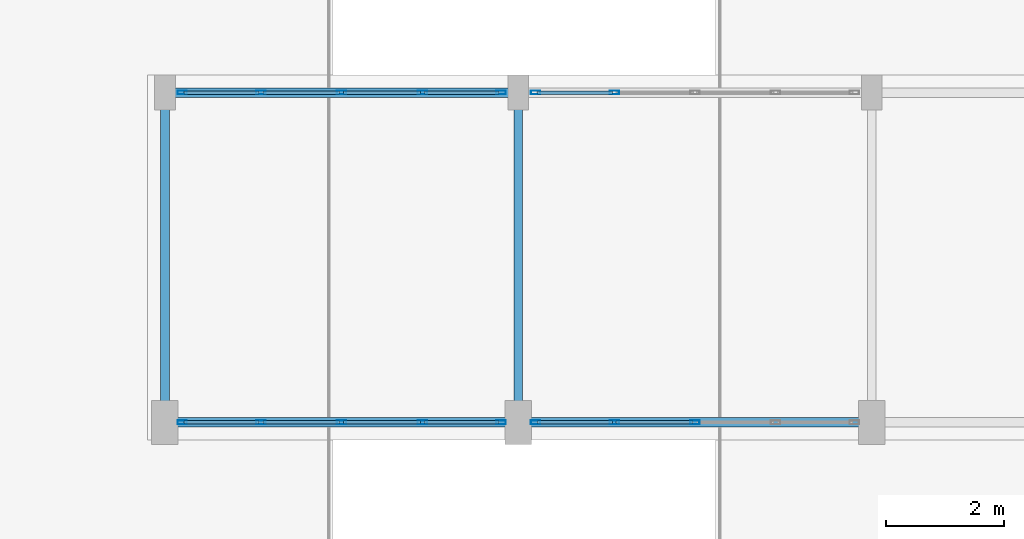
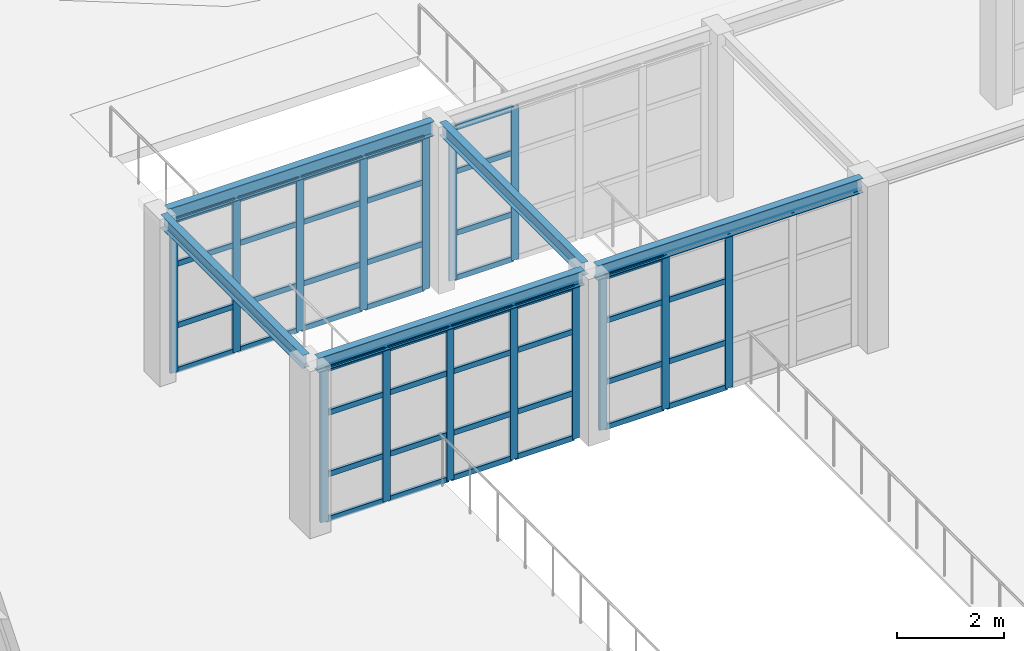
# One storey, part 11 of 57: 58 members, 5 beams, 4 elements without a shape of their own.
"""IFC4 building model written with IfcOpenShell, lengths in metres."""

from ifc_helpers import new_model, si_unit, direction, frame, origin, origin_2d, place, context, subcontext, project, spatial, hollow_rectangle, i_section, extrude, material, layer, layer_set, material_profile, profile_set, type_object, element, aggregate, save


model = new_model("IFC4")

# Units and contexts
model_context = context("Model", 3, precision=1e-05, world=origin(), true_north=direction((0.0, 1.0)))
body_context = subcontext(model_context, "Body", "Model", "MODEL_VIEW")
ifc_project = project(units=[si_unit("LENGTHUNIT", "METRE"), si_unit("AREAUNIT", "SQUARE_METRE"), si_unit("VOLUMEUNIT", "CUBIC_METRE"), si_unit("PLANEANGLEUNIT", "RADIAN"), si_unit("MASSUNIT", "GRAM", prefix="KILO")], contexts=[model_context])

# Site, building, storey
site_placement = place(None, origin())
site = spatial("IfcSite", under=ifc_project, at=site_placement, CompositionType="ELEMENT")
building_placement = place(site_placement, origin())
building = spatial("IfcBuilding", under=site, at=building_placement, Name="Kharisveld Research Institute", CompositionType="ELEMENT")
storey_placement = place(building_placement, origin())
storey = spatial("IfcBuildingStorey", under=building, at=storey_placement, Name="L00", CompositionType="ELEMENT", Elevation=0.0)

# Beams
ifc_material_1 = material(Name="Steel S355JR", Category="steel")
ifc_material_profile_1 = material_profile(ifc_material_1, i_section(OverallWidth=0.14990234375, OverallDepth=0.300048828125, WebThickness=0.007080078125, FlangeThickness=0.0107421875, at=origin_2d()))
ifc_profile_set_1 = profile_set([ifc_material_profile_1], Name="Steel S355JR")
beam_type_1 = type_object("IfcBeamType", Name="BM_ST_IPE300", PredefinedType="BEAM", material=ifc_profile_set_1)
for number, where, z_axis, x_axis, name in (
    (1, (48.5, 26.14990234375, 3.64990234375), (0.0, 1.0, 0.0), (-1.0, 0.0, 0.0), "BM:ARC:L00:TR_1"),
    (2, (54.5, 26.14990234375, 3.64990234375), (0.0, 1.0, 0.0), (-1.0, 0.0, 0.0), "BM:ARC:L00:TR_2"),
):
    element("IfcBeam", number, at=place(storey_placement, frame(where, z_axis=z_axis, x_axis=x_axis)), inside=storey, type_object=beam_type_1, Name=name, PredefinedType="BEAM", context=body_context, shape_type="SweptSolid", body=[
        extrude(i_section(OverallWidth=0.14990234375, OverallDepth=0.300048828125, WebThickness=0.007080078125, FlangeThickness=0.0107421875, at=origin_2d()), origin(), (0.0, 0.0, 1.0), 5.300048828125),
    ])
ifc_material_2 = material(Name="Steel S355JR", Category="steel")
ifc_material_profile_2 = material_profile(ifc_material_2, i_section(OverallWidth=0.159912109375, OverallDepth=0.330078125, WebThickness=0.007568359375, FlangeThickness=0.011474609375, at=origin_2d()))
ifc_profile_set_2 = profile_set([ifc_material_profile_2], Name="Steel S355JR")
beam_type_2 = type_object("IfcBeamType", Name="BM_ST_IPE330", PredefinedType="BEAM", material=ifc_profile_set_2)
for number, where, z_axis, x_axis, name in (
    (3, (48.639892578125, 26.0, 3.635009765625), (1.0, 0.0, 0.0), (0.0, 1.0, 0.0), "BM:ARC:L00:LN_1_1"),
    (4, (54.639892578125, 26.0, 3.635009765625), (1.0, 0.0, 0.0), (0.0, 1.0, 0.0), "BM:ARC:L00:LN_1_2"),
    (5, (48.639892578125, 31.60009765625, 3.635009765625), (1.0, 0.0, 0.0), (0.0, 1.0, 0.0), "BM:ARC:L00:LN_2_1"),
):
    element("IfcBeam", number, at=place(storey_placement, frame(where, z_axis=z_axis, x_axis=x_axis)), inside=storey, type_object=beam_type_2, Name=name, PredefinedType="BEAM", context=body_context, shape_type="SweptSolid", body=[
        extrude(i_section(OverallWidth=0.159912109375, OverallDepth=0.330078125, WebThickness=0.007568359375, FlangeThickness=0.011474609375, at=origin_2d()), origin(), (0.0, 0.0, 1.0), 5.72021484375),
    ])

# Curtain wall, members
ifc_material_3 = material(Name="Thermally Broken Aluminium Curtain Wall", Category="aluminium")
ifc_layer = layer(ifc_material_3, 0.159912109375)
ifc_layer_set = layer_set([ifc_layer], Name="CW_SYS_02")
curtain_wall_type = type_object("IfcCurtainWallType", Name="CW_SYS_02", PredefinedType="NOTDEFINED", material=ifc_layer_set)
curtain_wall_1_placement = place(storey_placement, origin())
curtain_wall_1 = element("IfcCurtainWall", 6, at=curtain_wall_1_placement, inside=storey, type_object=curtain_wall_type, Name="CW:ARC:L00:S1", PredefinedType="NOTDEFINED")
ifc_material_4 = material(Name="Anodised Aluminium AW-6063-T6", Category="aluminium")
ifc_material_profile_3 = material_profile(ifc_material_4, hollow_rectangle(XDim=0.06494140625, YDim=0.159912109375, WallThickness=0.00390625, at=origin_2d()))
ifc_profile_set_3 = profile_set([ifc_material_profile_3], Name="Anodised Aluminium AW-6063-T6")
member_type_1 = type_object("IfcMemberType", Name="CW_MUL_160", PredefinedType="MULLION", material=ifc_profile_set_3)
member_1_placement = place(storey_placement, frame((54.20751953125, 26.0, 0.0), z_axis=(0.0, 0.0, 1.0), x_axis=(0.0, -1.0, 0.0)))
member_1 = element("IfcMember", 7, at=member_1_placement, type_object=member_type_1, Name="CW-02 mullion 1", PredefinedType="MULLION", context=body_context, shape_type="SweptSolid", body=[
    extrude(hollow_rectangle(XDim=0.06494140625, YDim=0.159912109375, WallThickness=0.00390625, at=origin_2d()), origin(), (0.0, 0.0, 1.0), 3.47998046875),
])
member_2_placement = place(storey_placement, frame((52.8701171875, 26.0, 0.0), z_axis=(0.0, 0.0, 1.0), x_axis=(0.0, -1.0, 0.0)))
member_2 = element("IfcMember", 8, at=member_2_placement, type_object=member_type_1, Name="CW-02 mullion 2", PredefinedType="MULLION", context=body_context, shape_type="SweptSolid", body=[
    extrude(hollow_rectangle(XDim=0.06494140625, YDim=0.159912109375, WallThickness=0.00390625, at=origin_2d()), origin(), (0.0, 0.0, 1.0), 3.47998046875),
])
member_3_placement = place(storey_placement, frame((51.5, 26.0, 0.0), z_axis=(0.0, 0.0, 1.0), x_axis=(0.0, -1.0, 0.0)))
member_3 = element("IfcMember", 9, at=member_3_placement, type_object=member_type_1, Name="CW-02 mullion 3", PredefinedType="MULLION", context=body_context, shape_type="SweptSolid", body=[
    extrude(hollow_rectangle(XDim=0.06494140625, YDim=0.159912109375, WallThickness=0.00390625, at=origin_2d()), origin(), (0.0, 0.0, 1.0), 3.47998046875),
])
member_4_placement = place(storey_placement, frame((50.1298828125, 26.0, 0.0), z_axis=(0.0, 0.0, 1.0), x_axis=(0.0, -1.0, 0.0)))
member_4 = element("IfcMember", 10, at=member_4_placement, type_object=member_type_1, Name="CW-02 mullion 4", PredefinedType="MULLION", context=body_context, shape_type="SweptSolid", body=[
    extrude(hollow_rectangle(XDim=0.06494140625, YDim=0.159912109375, WallThickness=0.00390625, at=origin_2d()), origin(), (0.0, 0.0, 1.0), 3.47998046875),
])
member_5_placement = place(storey_placement, frame((48.79248046875, 26.0, 0.0), z_axis=(0.0, 0.0, 1.0), x_axis=(0.0, -1.0, 0.0)))
member_5 = element("IfcMember", 11, at=member_5_placement, type_object=member_type_1, Name="CW-02 mullion 5", PredefinedType="MULLION", context=body_context, shape_type="SweptSolid", body=[
    extrude(hollow_rectangle(XDim=0.06494140625, YDim=0.159912109375, WallThickness=0.00390625, at=origin_2d()), origin(), (0.0, 0.0, 1.0), 3.47998046875),
])

curtain_wall_2_placement = place(storey_placement, origin())
curtain_wall_2 = element("IfcCurtainWall", 12, at=curtain_wall_2_placement, inside=storey, type_object=curtain_wall_type, Name="CW:ARC:L00:S2", PredefinedType="NOTDEFINED")
member_6_placement = place(storey_placement, frame((57.5, 26.0, 0.0), z_axis=(0.0, 0.0, 1.0), x_axis=(0.0, -1.0, 0.0)))
member_6 = element("IfcMember", 13, at=member_6_placement, type_object=member_type_1, Name="CW-02 mullion 3", PredefinedType="MULLION", context=body_context, shape_type="SweptSolid", body=[
    extrude(hollow_rectangle(XDim=0.06494140625, YDim=0.159912109375, WallThickness=0.00390625, at=origin_2d()), origin(), (0.0, 0.0, 1.0), 3.47998046875),
])
member_7_placement = place(storey_placement, frame((56.1298828125, 26.0, 0.0), z_axis=(0.0, 0.0, 1.0), x_axis=(0.0, -1.0, 0.0)))
member_7 = element("IfcMember", 14, at=member_7_placement, type_object=member_type_1, Name="CW-02 mullion 4", PredefinedType="MULLION", context=body_context, shape_type="SweptSolid", body=[
    extrude(hollow_rectangle(XDim=0.06494140625, YDim=0.159912109375, WallThickness=0.00390625, at=origin_2d()), origin(), (0.0, 0.0, 1.0), 3.47998046875),
])
member_8_placement = place(storey_placement, frame((54.79248046875, 26.0, 0.0), z_axis=(0.0, 0.0, 1.0), x_axis=(0.0, -1.0, 0.0)))
member_8 = element("IfcMember", 15, at=member_8_placement, type_object=member_type_1, Name="CW-02 mullion 5", PredefinedType="MULLION", context=body_context, shape_type="SweptSolid", body=[
    extrude(hollow_rectangle(XDim=0.06494140625, YDim=0.159912109375, WallThickness=0.00390625, at=origin_2d()), origin(), (0.0, 0.0, 1.0), 3.47998046875),
])

curtain_wall_3_placement = place(storey_placement, origin())
curtain_wall_3 = element("IfcCurtainWall", 16, at=curtain_wall_3_placement, inside=storey, type_object=curtain_wall_type, Name="CW:ARC:L00:N1", PredefinedType="NOTDEFINED")
member_9_placement = place(storey_placement, frame((48.79248046875, 31.60009765625, 0.0), z_axis=(0.0, 0.0, 1.0), x_axis=(0.0, 1.0, 0.0)))
member_9 = element("IfcMember", 17, at=member_9_placement, type_object=member_type_1, Name="CW-02 mullion 1", PredefinedType="MULLION", context=body_context, shape_type="SweptSolid", body=[
    extrude(hollow_rectangle(XDim=0.06494140625, YDim=0.159912109375, WallThickness=0.00390625, at=origin_2d()), origin(), (0.0, 0.0, 1.0), 3.47998046875),
])
member_10_placement = place(storey_placement, frame((50.1298828125, 31.60009765625, 0.0), z_axis=(0.0, 0.0, 1.0), x_axis=(0.0, 1.0, 0.0)))
member_10 = element("IfcMember", 18, at=member_10_placement, type_object=member_type_1, Name="CW-02 mullion 2", PredefinedType="MULLION", context=body_context, shape_type="SweptSolid", body=[
    extrude(hollow_rectangle(XDim=0.06494140625, YDim=0.159912109375, WallThickness=0.00390625, at=origin_2d()), origin(), (0.0, 0.0, 1.0), 3.47998046875),
])
member_11_placement = place(storey_placement, frame((51.5, 31.60009765625, 0.0), z_axis=(0.0, 0.0, 1.0), x_axis=(0.0, 1.0, 0.0)))
member_11 = element("IfcMember", 19, at=member_11_placement, type_object=member_type_1, Name="CW-02 mullion 3", PredefinedType="MULLION", context=body_context, shape_type="SweptSolid", body=[
    extrude(hollow_rectangle(XDim=0.06494140625, YDim=0.159912109375, WallThickness=0.00390625, at=origin_2d()), origin(), (0.0, 0.0, 1.0), 3.47998046875),
])
member_12_placement = place(storey_placement, frame((52.8701171875, 31.60009765625, 0.0), z_axis=(0.0, 0.0, 1.0), x_axis=(0.0, 1.0, 0.0)))
member_12 = element("IfcMember", 20, at=member_12_placement, type_object=member_type_1, Name="CW-02 mullion 4", PredefinedType="MULLION", context=body_context, shape_type="SweptSolid", body=[
    extrude(hollow_rectangle(XDim=0.06494140625, YDim=0.159912109375, WallThickness=0.00390625, at=origin_2d()), origin(), (0.0, 0.0, 1.0), 3.47998046875),
])
member_13_placement = place(storey_placement, frame((54.20751953125, 31.60009765625, 0.0), z_axis=(0.0, 0.0, 1.0), x_axis=(0.0, 1.0, 0.0)))
member_13 = element("IfcMember", 21, at=member_13_placement, type_object=member_type_1, Name="CW-02 mullion 5", PredefinedType="MULLION", context=body_context, shape_type="SweptSolid", body=[
    extrude(hollow_rectangle(XDim=0.06494140625, YDim=0.159912109375, WallThickness=0.00390625, at=origin_2d()), origin(), (0.0, 0.0, 1.0), 3.47998046875),
])

curtain_wall_4_placement = place(storey_placement, origin())
curtain_wall_4 = element("IfcCurtainWall", 22, at=curtain_wall_4_placement, inside=storey, type_object=curtain_wall_type, Name="CW:ARC:L00:N2", PredefinedType="NOTDEFINED")
member_14_placement = place(storey_placement, frame((54.79248046875, 31.60009765625, 0.0), z_axis=(0.0, 0.0, 1.0), x_axis=(0.0, 1.0, 0.0)))
member_14 = element("IfcMember", 23, at=member_14_placement, type_object=member_type_1, Name="CW-02 mullion 1", PredefinedType="MULLION", context=body_context, shape_type="SweptSolid", body=[
    extrude(hollow_rectangle(XDim=0.06494140625, YDim=0.159912109375, WallThickness=0.00390625, at=origin_2d()), origin(), (0.0, 0.0, 1.0), 3.47998046875),
])
member_15_placement = place(storey_placement, frame((56.1298828125, 31.60009765625, 0.0), z_axis=(0.0, 0.0, 1.0), x_axis=(0.0, 1.0, 0.0)))
member_15 = element("IfcMember", 24, at=member_15_placement, type_object=member_type_1, Name="CW-02 mullion 2", PredefinedType="MULLION", context=body_context, shape_type="SweptSolid", body=[
    extrude(hollow_rectangle(XDim=0.06494140625, YDim=0.159912109375, WallThickness=0.00390625, at=origin_2d()), origin(), (0.0, 0.0, 1.0), 3.47998046875),
])

# Member
ifc_material_5 = material(Name="Anodised Aluminium AW-6063-T6", Category="aluminium")
ifc_material_profile_4 = material_profile(ifc_material_5, hollow_rectangle(XDim=0.06005859375, YDim=0.1201171875, WallThickness=0.00390625, at=origin_2d()))
ifc_profile_set_4 = profile_set([ifc_material_profile_4], Name="Anodised Aluminium AW-6063-T6")
member_type_2 = type_object("IfcMemberType", Name="CW_TRN_120", PredefinedType="USERDEFINED", material=ifc_profile_set_4)
member_16_placement = place(storey_placement, frame((54.175048828125, 26.0, 0.030029296875), z_axis=(-1.0, 0.0, 0.0), x_axis=(0.0, -1.0, 0.0)))
member_16 = element("IfcMember", 25, at=member_16_placement, type_object=member_type_2, Name="CW-02 transom 1.1", ObjectType="TRANSOM", PredefinedType="USERDEFINED", context=body_context, shape_type="SweptSolid", body=[
    extrude(hollow_rectangle(XDim=0.06005859375, YDim=0.1201171875, WallThickness=0.00390625, at=origin_2d()), origin(), (0.0, 0.0, 1.0), 1.2724609375),
])

member_17_placement = place(storey_placement, frame((54.175048828125, 26.0, 1.050048828125), z_axis=(-1.0, 0.0, 0.0), x_axis=(0.0, -1.0, 0.0)))
member_17 = element("IfcMember", 26, at=member_17_placement, type_object=member_type_2, Name="CW-02 transom 1.2", ObjectType="TRANSOM", PredefinedType="USERDEFINED", context=body_context, shape_type="SweptSolid", body=[
    extrude(hollow_rectangle(XDim=0.06005859375, YDim=0.1201171875, WallThickness=0.00390625, at=origin_2d()), origin(), (0.0, 0.0, 1.0), 1.2724609375),
])

member_18_placement = place(storey_placement, frame((54.175048828125, 26.0, 2.449951171875), z_axis=(-1.0, 0.0, 0.0), x_axis=(0.0, -1.0, 0.0)))
member_18 = element("IfcMember", 27, at=member_18_placement, type_object=member_type_2, Name="CW-02 transom 1.3", ObjectType="TRANSOM", PredefinedType="USERDEFINED", context=body_context, shape_type="SweptSolid", body=[
    extrude(hollow_rectangle(XDim=0.06005859375, YDim=0.1201171875, WallThickness=0.00390625, at=origin_2d()), origin(), (0.0, 0.0, 1.0), 1.2724609375),
])

member_19_placement = place(storey_placement, frame((54.175048828125, 26.0, 3.449951171875), z_axis=(-1.0, 0.0, 0.0), x_axis=(0.0, -1.0, 0.0)))
member_19 = element("IfcMember", 28, at=member_19_placement, type_object=member_type_2, Name="CW-02 transom 1.4", ObjectType="TRANSOM", PredefinedType="USERDEFINED", context=body_context, shape_type="SweptSolid", body=[
    extrude(hollow_rectangle(XDim=0.06005859375, YDim=0.1201171875, WallThickness=0.00390625, at=origin_2d()), origin(), (0.0, 0.0, 1.0), 1.2724609375),
])

member_20_placement = place(storey_placement, frame((52.83740234375, 26.0, 0.030029296875), z_axis=(-1.0, 0.0, 0.0), x_axis=(0.0, -1.0, 0.0)))
member_20 = element("IfcMember", 29, at=member_20_placement, type_object=member_type_2, Name="CW-02 transom 2.1", ObjectType="TRANSOM", PredefinedType="USERDEFINED", context=body_context, shape_type="SweptSolid", body=[
    extrude(hollow_rectangle(XDim=0.06005859375, YDim=0.1201171875, WallThickness=0.00390625, at=origin_2d()), origin(), (0.0, 0.0, 1.0), 1.304931640625),
])

member_21_placement = place(storey_placement, frame((52.83740234375, 26.0, 1.050048828125), z_axis=(-1.0, 0.0, 0.0), x_axis=(0.0, -1.0, 0.0)))
member_21 = element("IfcMember", 30, at=member_21_placement, type_object=member_type_2, Name="CW-02 transom 2.2", ObjectType="TRANSOM", PredefinedType="USERDEFINED", context=body_context, shape_type="SweptSolid", body=[
    extrude(hollow_rectangle(XDim=0.06005859375, YDim=0.1201171875, WallThickness=0.00390625, at=origin_2d()), origin(), (0.0, 0.0, 1.0), 1.304931640625),
])

member_22_placement = place(storey_placement, frame((52.83740234375, 26.0, 2.449951171875), z_axis=(-1.0, 0.0, 0.0), x_axis=(0.0, -1.0, 0.0)))
member_22 = element("IfcMember", 31, at=member_22_placement, type_object=member_type_2, Name="CW-02 transom 2.3", ObjectType="TRANSOM", PredefinedType="USERDEFINED", context=body_context, shape_type="SweptSolid", body=[
    extrude(hollow_rectangle(XDim=0.06005859375, YDim=0.1201171875, WallThickness=0.00390625, at=origin_2d()), origin(), (0.0, 0.0, 1.0), 1.304931640625),
])

member_23_placement = place(storey_placement, frame((52.83740234375, 26.0, 3.449951171875), z_axis=(-1.0, 0.0, 0.0), x_axis=(0.0, -1.0, 0.0)))
member_23 = element("IfcMember", 32, at=member_23_placement, type_object=member_type_2, Name="CW-02 transom 2.4", ObjectType="TRANSOM", PredefinedType="USERDEFINED", context=body_context, shape_type="SweptSolid", body=[
    extrude(hollow_rectangle(XDim=0.06005859375, YDim=0.1201171875, WallThickness=0.00390625, at=origin_2d()), origin(), (0.0, 0.0, 1.0), 1.304931640625),
])

member_24_placement = place(storey_placement, frame((51.467529296875, 26.0, 0.030029296875), z_axis=(-1.0, 0.0, 0.0), x_axis=(0.0, -1.0, 0.0)))
member_24 = element("IfcMember", 33, at=member_24_placement, type_object=member_type_2, Name="CW-02 transom 3.1", ObjectType="TRANSOM", PredefinedType="USERDEFINED", context=body_context, shape_type="SweptSolid", body=[
    extrude(hollow_rectangle(XDim=0.06005859375, YDim=0.1201171875, WallThickness=0.00390625, at=origin_2d()), origin(), (0.0, 0.0, 1.0), 1.304931640625),
])

member_25_placement = place(storey_placement, frame((51.467529296875, 26.0, 1.050048828125), z_axis=(-1.0, 0.0, 0.0), x_axis=(0.0, -1.0, 0.0)))
member_25 = element("IfcMember", 34, at=member_25_placement, type_object=member_type_2, Name="CW-02 transom 3.2", ObjectType="TRANSOM", PredefinedType="USERDEFINED", context=body_context, shape_type="SweptSolid", body=[
    extrude(hollow_rectangle(XDim=0.06005859375, YDim=0.1201171875, WallThickness=0.00390625, at=origin_2d()), origin(), (0.0, 0.0, 1.0), 1.304931640625),
])

member_26_placement = place(storey_placement, frame((51.467529296875, 26.0, 2.449951171875), z_axis=(-1.0, 0.0, 0.0), x_axis=(0.0, -1.0, 0.0)))
member_26 = element("IfcMember", 35, at=member_26_placement, type_object=member_type_2, Name="CW-02 transom 3.3", ObjectType="TRANSOM", PredefinedType="USERDEFINED", context=body_context, shape_type="SweptSolid", body=[
    extrude(hollow_rectangle(XDim=0.06005859375, YDim=0.1201171875, WallThickness=0.00390625, at=origin_2d()), origin(), (0.0, 0.0, 1.0), 1.304931640625),
])

member_27_placement = place(storey_placement, frame((51.467529296875, 26.0, 3.449951171875), z_axis=(-1.0, 0.0, 0.0), x_axis=(0.0, -1.0, 0.0)))
member_27 = element("IfcMember", 36, at=member_27_placement, type_object=member_type_2, Name="CW-02 transom 3.4", ObjectType="TRANSOM", PredefinedType="USERDEFINED", context=body_context, shape_type="SweptSolid", body=[
    extrude(hollow_rectangle(XDim=0.06005859375, YDim=0.1201171875, WallThickness=0.00390625, at=origin_2d()), origin(), (0.0, 0.0, 1.0), 1.304931640625),
])

member_28_placement = place(storey_placement, frame((50.097412109375, 26.0, 0.030029296875), z_axis=(-1.0, 0.0, 0.0), x_axis=(0.0, -1.0, 0.0)))
member_28 = element("IfcMember", 37, at=member_28_placement, type_object=member_type_2, Name="CW-02 transom 4.1", ObjectType="TRANSOM", PredefinedType="USERDEFINED", context=body_context, shape_type="SweptSolid", body=[
    extrude(hollow_rectangle(XDim=0.06005859375, YDim=0.1201171875, WallThickness=0.00390625, at=origin_2d()), origin(), (0.0, 0.0, 1.0), 1.2724609375),
])

member_29_placement = place(storey_placement, frame((50.097412109375, 26.0, 1.050048828125), z_axis=(-1.0, 0.0, 0.0), x_axis=(0.0, -1.0, 0.0)))
member_29 = element("IfcMember", 38, at=member_29_placement, type_object=member_type_2, Name="CW-02 transom 4.2", ObjectType="TRANSOM", PredefinedType="USERDEFINED", context=body_context, shape_type="SweptSolid", body=[
    extrude(hollow_rectangle(XDim=0.06005859375, YDim=0.1201171875, WallThickness=0.00390625, at=origin_2d()), origin(), (0.0, 0.0, 1.0), 1.2724609375),
])

member_30_placement = place(storey_placement, frame((50.097412109375, 26.0, 2.449951171875), z_axis=(-1.0, 0.0, 0.0), x_axis=(0.0, -1.0, 0.0)))
member_30 = element("IfcMember", 39, at=member_30_placement, type_object=member_type_2, Name="CW-02 transom 4.3", ObjectType="TRANSOM", PredefinedType="USERDEFINED", context=body_context, shape_type="SweptSolid", body=[
    extrude(hollow_rectangle(XDim=0.06005859375, YDim=0.1201171875, WallThickness=0.00390625, at=origin_2d()), origin(), (0.0, 0.0, 1.0), 1.2724609375),
])

member_31_placement = place(storey_placement, frame((50.097412109375, 26.0, 3.449951171875), z_axis=(-1.0, 0.0, 0.0), x_axis=(0.0, -1.0, 0.0)))
member_31 = element("IfcMember", 40, at=member_31_placement, type_object=member_type_2, Name="CW-02 transom 4.4", ObjectType="TRANSOM", PredefinedType="USERDEFINED", context=body_context, shape_type="SweptSolid", body=[
    extrude(hollow_rectangle(XDim=0.06005859375, YDim=0.1201171875, WallThickness=0.00390625, at=origin_2d()), origin(), (0.0, 0.0, 1.0), 1.2724609375),
])

aggregate(curtain_wall_1, [member_1, member_2, member_3, member_4, member_5, member_16, member_17, member_18, member_19, member_20, member_21, member_22, member_23, member_24, member_25, member_26, member_27, member_28, member_29, member_30, member_31])

member_32_placement = place(storey_placement, frame((57.467529296875, 26.0, 0.030029296875), z_axis=(-1.0, 0.0, 0.0), x_axis=(0.0, -1.0, 0.0)))
member_32 = element("IfcMember", 41, at=member_32_placement, type_object=member_type_2, Name="CW-02 transom 3.1", ObjectType="TRANSOM", PredefinedType="USERDEFINED", context=body_context, shape_type="SweptSolid", body=[
    extrude(hollow_rectangle(XDim=0.06005859375, YDim=0.1201171875, WallThickness=0.00390625, at=origin_2d()), origin(), (0.0, 0.0, 1.0), 1.304931640625),
])

member_33_placement = place(storey_placement, frame((57.467529296875, 26.0, 1.050048828125), z_axis=(-1.0, 0.0, 0.0), x_axis=(0.0, -1.0, 0.0)))
member_33 = element("IfcMember", 42, at=member_33_placement, type_object=member_type_2, Name="CW-02 transom 3.2", ObjectType="TRANSOM", PredefinedType="USERDEFINED", context=body_context, shape_type="SweptSolid", body=[
    extrude(hollow_rectangle(XDim=0.06005859375, YDim=0.1201171875, WallThickness=0.00390625, at=origin_2d()), origin(), (0.0, 0.0, 1.0), 1.304931640625),
])

member_34_placement = place(storey_placement, frame((57.467529296875, 26.0, 2.449951171875), z_axis=(-1.0, 0.0, 0.0), x_axis=(0.0, -1.0, 0.0)))
member_34 = element("IfcMember", 43, at=member_34_placement, type_object=member_type_2, Name="CW-02 transom 3.3", ObjectType="TRANSOM", PredefinedType="USERDEFINED", context=body_context, shape_type="SweptSolid", body=[
    extrude(hollow_rectangle(XDim=0.06005859375, YDim=0.1201171875, WallThickness=0.00390625, at=origin_2d()), origin(), (0.0, 0.0, 1.0), 1.304931640625),
])

member_35_placement = place(storey_placement, frame((56.097412109375, 26.0, 0.030029296875), z_axis=(-1.0, 0.0, 0.0), x_axis=(0.0, -1.0, 0.0)))
member_35 = element("IfcMember", 44, at=member_35_placement, type_object=member_type_2, Name="CW-02 transom 4.1", ObjectType="TRANSOM", PredefinedType="USERDEFINED", context=body_context, shape_type="SweptSolid", body=[
    extrude(hollow_rectangle(XDim=0.06005859375, YDim=0.1201171875, WallThickness=0.00390625, at=origin_2d()), origin(), (0.0, 0.0, 1.0), 1.2724609375),
])

member_36_placement = place(storey_placement, frame((56.097412109375, 26.0, 1.050048828125), z_axis=(-1.0, 0.0, 0.0), x_axis=(0.0, -1.0, 0.0)))
member_36 = element("IfcMember", 45, at=member_36_placement, type_object=member_type_2, Name="CW-02 transom 4.2", ObjectType="TRANSOM", PredefinedType="USERDEFINED", context=body_context, shape_type="SweptSolid", body=[
    extrude(hollow_rectangle(XDim=0.06005859375, YDim=0.1201171875, WallThickness=0.00390625, at=origin_2d()), origin(), (0.0, 0.0, 1.0), 1.2724609375),
])

member_37_placement = place(storey_placement, frame((56.097412109375, 26.0, 2.449951171875), z_axis=(-1.0, 0.0, 0.0), x_axis=(0.0, -1.0, 0.0)))
member_37 = element("IfcMember", 46, at=member_37_placement, type_object=member_type_2, Name="CW-02 transom 4.3", ObjectType="TRANSOM", PredefinedType="USERDEFINED", context=body_context, shape_type="SweptSolid", body=[
    extrude(hollow_rectangle(XDim=0.06005859375, YDim=0.1201171875, WallThickness=0.00390625, at=origin_2d()), origin(), (0.0, 0.0, 1.0), 1.2724609375),
])

member_38_placement = place(storey_placement, frame((56.097412109375, 26.0, 3.449951171875), z_axis=(-1.0, 0.0, 0.0), x_axis=(0.0, -1.0, 0.0)))
member_38 = element("IfcMember", 47, at=member_38_placement, type_object=member_type_2, Name="CW-02 transom 4.4", ObjectType="TRANSOM", PredefinedType="USERDEFINED", context=body_context, shape_type="SweptSolid", body=[
    extrude(hollow_rectangle(XDim=0.06005859375, YDim=0.1201171875, WallThickness=0.00390625, at=origin_2d()), origin(), (0.0, 0.0, 1.0), 1.2724609375),
])

aggregate(curtain_wall_2, [member_6, member_7, member_8, member_32, member_33, member_34, member_35, member_36, member_37, member_38])

member_39_placement = place(storey_placement, frame((48.824951171875, 31.60009765625, 0.030029296875), z_axis=(1.0, 0.0, 0.0), x_axis=(0.0, 1.0, 0.0)))
member_39 = element("IfcMember", 48, at=member_39_placement, type_object=member_type_2, Name="CW-02 transom 1.1", ObjectType="TRANSOM", PredefinedType="USERDEFINED", context=body_context, shape_type="SweptSolid", body=[
    extrude(hollow_rectangle(XDim=0.06005859375, YDim=0.1201171875, WallThickness=0.00390625, at=origin_2d()), origin(), (0.0, 0.0, 1.0), 1.2724609375),
])

member_40_placement = place(storey_placement, frame((48.824951171875, 31.60009765625, 1.050048828125), z_axis=(1.0, 0.0, 0.0), x_axis=(0.0, 1.0, 0.0)))
member_40 = element("IfcMember", 49, at=member_40_placement, type_object=member_type_2, Name="CW-02 transom 1.2", ObjectType="TRANSOM", PredefinedType="USERDEFINED", context=body_context, shape_type="SweptSolid", body=[
    extrude(hollow_rectangle(XDim=0.06005859375, YDim=0.1201171875, WallThickness=0.00390625, at=origin_2d()), origin(), (0.0, 0.0, 1.0), 1.2724609375),
])

member_41_placement = place(storey_placement, frame((48.824951171875, 31.60009765625, 2.449951171875), z_axis=(1.0, 0.0, 0.0), x_axis=(0.0, 1.0, 0.0)))
member_41 = element("IfcMember", 50, at=member_41_placement, type_object=member_type_2, Name="CW-02 transom 1.3", ObjectType="TRANSOM", PredefinedType="USERDEFINED", context=body_context, shape_type="SweptSolid", body=[
    extrude(hollow_rectangle(XDim=0.06005859375, YDim=0.1201171875, WallThickness=0.00390625, at=origin_2d()), origin(), (0.0, 0.0, 1.0), 1.2724609375),
])

member_42_placement = place(storey_placement, frame((48.824951171875, 31.60009765625, 3.449951171875), z_axis=(1.0, 0.0, 0.0), x_axis=(0.0, 1.0, 0.0)))
member_42 = element("IfcMember", 51, at=member_42_placement, type_object=member_type_2, Name="CW-02 transom 1.4", ObjectType="TRANSOM", PredefinedType="USERDEFINED", context=body_context, shape_type="SweptSolid", body=[
    extrude(hollow_rectangle(XDim=0.06005859375, YDim=0.1201171875, WallThickness=0.00390625, at=origin_2d()), origin(), (0.0, 0.0, 1.0), 1.2724609375),
])

member_43_placement = place(storey_placement, frame((50.16259765625, 31.60009765625, 0.030029296875), z_axis=(1.0, 0.0, 0.0), x_axis=(0.0, 1.0, 0.0)))
member_43 = element("IfcMember", 52, at=member_43_placement, type_object=member_type_2, Name="CW-02 transom 2.1", ObjectType="TRANSOM", PredefinedType="USERDEFINED", context=body_context, shape_type="SweptSolid", body=[
    extrude(hollow_rectangle(XDim=0.06005859375, YDim=0.1201171875, WallThickness=0.00390625, at=origin_2d()), origin(), (0.0, 0.0, 1.0), 1.304931640625),
])

member_44_placement = place(storey_placement, frame((50.16259765625, 31.60009765625, 1.050048828125), z_axis=(1.0, 0.0, 0.0), x_axis=(0.0, 1.0, 0.0)))
member_44 = element("IfcMember", 53, at=member_44_placement, type_object=member_type_2, Name="CW-02 transom 2.2", ObjectType="TRANSOM", PredefinedType="USERDEFINED", context=body_context, shape_type="SweptSolid", body=[
    extrude(hollow_rectangle(XDim=0.06005859375, YDim=0.1201171875, WallThickness=0.00390625, at=origin_2d()), origin(), (0.0, 0.0, 1.0), 1.304931640625),
])

member_45_placement = place(storey_placement, frame((50.16259765625, 31.60009765625, 2.449951171875), z_axis=(1.0, 0.0, 0.0), x_axis=(0.0, 1.0, 0.0)))
member_45 = element("IfcMember", 54, at=member_45_placement, type_object=member_type_2, Name="CW-02 transom 2.3", ObjectType="TRANSOM", PredefinedType="USERDEFINED", context=body_context, shape_type="SweptSolid", body=[
    extrude(hollow_rectangle(XDim=0.06005859375, YDim=0.1201171875, WallThickness=0.00390625, at=origin_2d()), origin(), (0.0, 0.0, 1.0), 1.304931640625),
])

member_46_placement = place(storey_placement, frame((50.16259765625, 31.60009765625, 3.449951171875), z_axis=(1.0, 0.0, 0.0), x_axis=(0.0, 1.0, 0.0)))
member_46 = element("IfcMember", 55, at=member_46_placement, type_object=member_type_2, Name="CW-02 transom 2.4", ObjectType="TRANSOM", PredefinedType="USERDEFINED", context=body_context, shape_type="SweptSolid", body=[
    extrude(hollow_rectangle(XDim=0.06005859375, YDim=0.1201171875, WallThickness=0.00390625, at=origin_2d()), origin(), (0.0, 0.0, 1.0), 1.304931640625),
])

member_47_placement = place(storey_placement, frame((51.532470703125, 31.60009765625, 0.030029296875), z_axis=(1.0, 0.0, 0.0), x_axis=(0.0, 1.0, 0.0)))
member_47 = element("IfcMember", 56, at=member_47_placement, type_object=member_type_2, Name="CW-02 transom 3.1", ObjectType="TRANSOM", PredefinedType="USERDEFINED", context=body_context, shape_type="SweptSolid", body=[
    extrude(hollow_rectangle(XDim=0.06005859375, YDim=0.1201171875, WallThickness=0.00390625, at=origin_2d()), origin(), (0.0, 0.0, 1.0), 1.304931640625),
])

member_48_placement = place(storey_placement, frame((51.532470703125, 31.60009765625, 1.050048828125), z_axis=(1.0, 0.0, 0.0), x_axis=(0.0, 1.0, 0.0)))
member_48 = element("IfcMember", 57, at=member_48_placement, type_object=member_type_2, Name="CW-02 transom 3.2", ObjectType="TRANSOM", PredefinedType="USERDEFINED", context=body_context, shape_type="SweptSolid", body=[
    extrude(hollow_rectangle(XDim=0.06005859375, YDim=0.1201171875, WallThickness=0.00390625, at=origin_2d()), origin(), (0.0, 0.0, 1.0), 1.304931640625),
])

member_49_placement = place(storey_placement, frame((51.532470703125, 31.60009765625, 2.449951171875), z_axis=(1.0, 0.0, 0.0), x_axis=(0.0, 1.0, 0.0)))
member_49 = element("IfcMember", 58, at=member_49_placement, type_object=member_type_2, Name="CW-02 transom 3.3", ObjectType="TRANSOM", PredefinedType="USERDEFINED", context=body_context, shape_type="SweptSolid", body=[
    extrude(hollow_rectangle(XDim=0.06005859375, YDim=0.1201171875, WallThickness=0.00390625, at=origin_2d()), origin(), (0.0, 0.0, 1.0), 1.304931640625),
])

member_50_placement = place(storey_placement, frame((51.532470703125, 31.60009765625, 3.449951171875), z_axis=(1.0, 0.0, 0.0), x_axis=(0.0, 1.0, 0.0)))
member_50 = element("IfcMember", 59, at=member_50_placement, type_object=member_type_2, Name="CW-02 transom 3.4", ObjectType="TRANSOM", PredefinedType="USERDEFINED", context=body_context, shape_type="SweptSolid", body=[
    extrude(hollow_rectangle(XDim=0.06005859375, YDim=0.1201171875, WallThickness=0.00390625, at=origin_2d()), origin(), (0.0, 0.0, 1.0), 1.304931640625),
])

member_51_placement = place(storey_placement, frame((52.902587890625, 31.60009765625, 0.030029296875), z_axis=(1.0, 0.0, 0.0), x_axis=(0.0, 1.0, 0.0)))
member_51 = element("IfcMember", 60, at=member_51_placement, type_object=member_type_2, Name="CW-02 transom 4.1", ObjectType="TRANSOM", PredefinedType="USERDEFINED", context=body_context, shape_type="SweptSolid", body=[
    extrude(hollow_rectangle(XDim=0.06005859375, YDim=0.1201171875, WallThickness=0.00390625, at=origin_2d()), origin(), (0.0, 0.0, 1.0), 1.2724609375),
])

member_52_placement = place(storey_placement, frame((52.902587890625, 31.60009765625, 1.050048828125), z_axis=(1.0, 0.0, 0.0), x_axis=(0.0, 1.0, 0.0)))
member_52 = element("IfcMember", 61, at=member_52_placement, type_object=member_type_2, Name="CW-02 transom 4.2", ObjectType="TRANSOM", PredefinedType="USERDEFINED", context=body_context, shape_type="SweptSolid", body=[
    extrude(hollow_rectangle(XDim=0.06005859375, YDim=0.1201171875, WallThickness=0.00390625, at=origin_2d()), origin(), (0.0, 0.0, 1.0), 1.2724609375),
])

member_53_placement = place(storey_placement, frame((52.902587890625, 31.60009765625, 2.449951171875), z_axis=(1.0, 0.0, 0.0), x_axis=(0.0, 1.0, 0.0)))
member_53 = element("IfcMember", 62, at=member_53_placement, type_object=member_type_2, Name="CW-02 transom 4.3", ObjectType="TRANSOM", PredefinedType="USERDEFINED", context=body_context, shape_type="SweptSolid", body=[
    extrude(hollow_rectangle(XDim=0.06005859375, YDim=0.1201171875, WallThickness=0.00390625, at=origin_2d()), origin(), (0.0, 0.0, 1.0), 1.2724609375),
])

member_54_placement = place(storey_placement, frame((52.902587890625, 31.60009765625, 3.449951171875), z_axis=(1.0, 0.0, 0.0), x_axis=(0.0, 1.0, 0.0)))
member_54 = element("IfcMember", 63, at=member_54_placement, type_object=member_type_2, Name="CW-02 transom 4.4", ObjectType="TRANSOM", PredefinedType="USERDEFINED", context=body_context, shape_type="SweptSolid", body=[
    extrude(hollow_rectangle(XDim=0.06005859375, YDim=0.1201171875, WallThickness=0.00390625, at=origin_2d()), origin(), (0.0, 0.0, 1.0), 1.2724609375),
])

aggregate(curtain_wall_3, [member_9, member_10, member_11, member_12, member_13, member_39, member_40, member_41, member_42, member_43, member_44, member_45, member_46, member_47, member_48, member_49, member_50, member_51, member_52, member_53, member_54])

member_55_placement = place(storey_placement, frame((54.824951171875, 31.60009765625, 0.030029296875), z_axis=(1.0, 0.0, 0.0), x_axis=(0.0, 1.0, 0.0)))
member_55 = element("IfcMember", 64, at=member_55_placement, type_object=member_type_2, Name="CW-02 transom 1.1", ObjectType="TRANSOM", PredefinedType="USERDEFINED", context=body_context, shape_type="SweptSolid", body=[
    extrude(hollow_rectangle(XDim=0.06005859375, YDim=0.1201171875, WallThickness=0.00390625, at=origin_2d()), origin(), (0.0, 0.0, 1.0), 1.2724609375),
])

member_56_placement = place(storey_placement, frame((54.824951171875, 31.60009765625, 1.050048828125), z_axis=(1.0, 0.0, 0.0), x_axis=(0.0, 1.0, 0.0)))
member_56 = element("IfcMember", 65, at=member_56_placement, type_object=member_type_2, Name="CW-02 transom 1.2", ObjectType="TRANSOM", PredefinedType="USERDEFINED", context=body_context, shape_type="SweptSolid", body=[
    extrude(hollow_rectangle(XDim=0.06005859375, YDim=0.1201171875, WallThickness=0.00390625, at=origin_2d()), origin(), (0.0, 0.0, 1.0), 1.2724609375),
])

member_57_placement = place(storey_placement, frame((54.824951171875, 31.60009765625, 2.449951171875), z_axis=(1.0, 0.0, 0.0), x_axis=(0.0, 1.0, 0.0)))
member_57 = element("IfcMember", 66, at=member_57_placement, type_object=member_type_2, Name="CW-02 transom 1.3", ObjectType="TRANSOM", PredefinedType="USERDEFINED", context=body_context, shape_type="SweptSolid", body=[
    extrude(hollow_rectangle(XDim=0.06005859375, YDim=0.1201171875, WallThickness=0.00390625, at=origin_2d()), origin(), (0.0, 0.0, 1.0), 1.2724609375),
])

member_58_placement = place(storey_placement, frame((54.824951171875, 31.60009765625, 3.449951171875), z_axis=(1.0, 0.0, 0.0), x_axis=(0.0, 1.0, 0.0)))
member_58 = element("IfcMember", 67, at=member_58_placement, type_object=member_type_2, Name="CW-02 transom 1.4", ObjectType="TRANSOM", PredefinedType="USERDEFINED", context=body_context, shape_type="SweptSolid", body=[
    extrude(hollow_rectangle(XDim=0.06005859375, YDim=0.1201171875, WallThickness=0.00390625, at=origin_2d()), origin(), (0.0, 0.0, 1.0), 1.2724609375),
])

aggregate(curtain_wall_4, [member_14, member_15, member_55, member_56, member_57, member_58])

save(model, "model.ifc")
